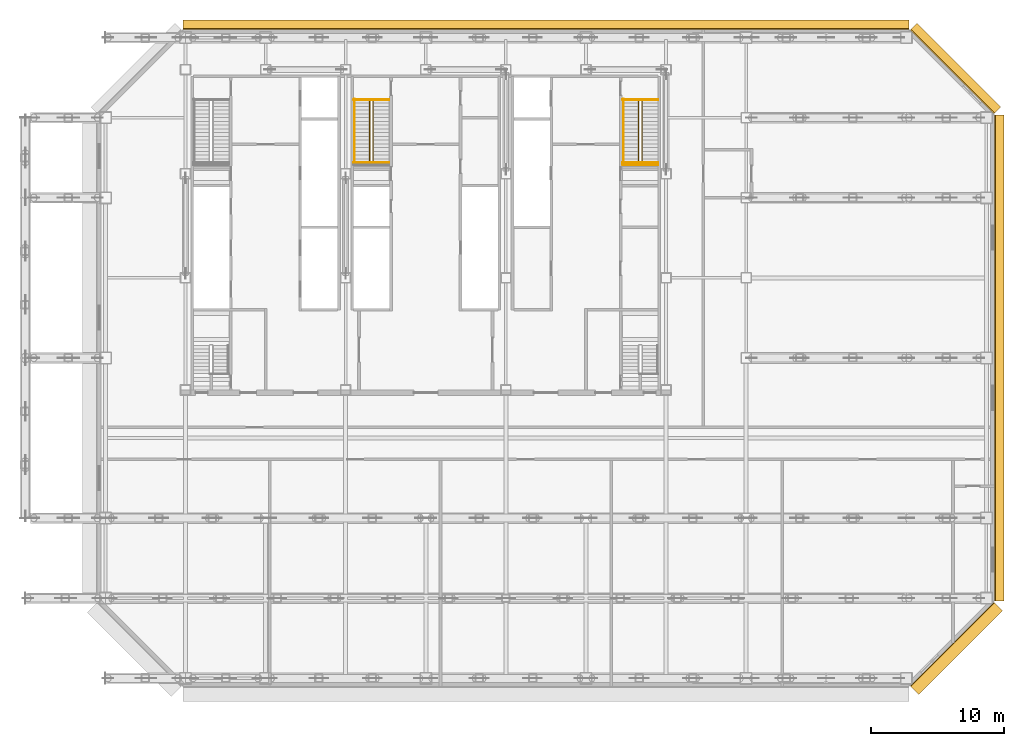
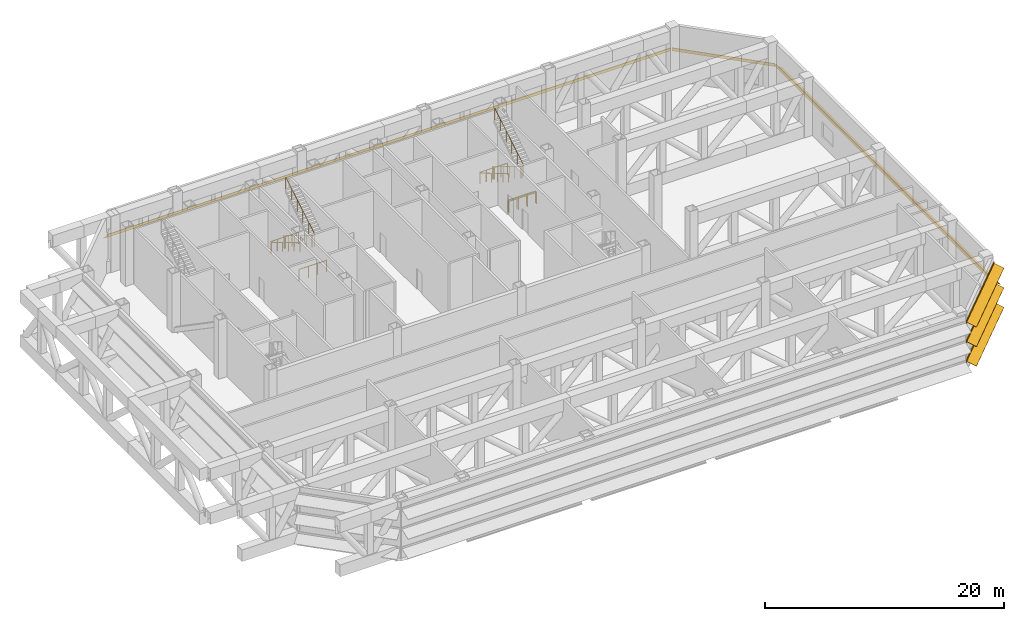
# One storey, part 17 of 17: 11 railings, 4 shading devices.
"""IFC4 building model written with IfcOpenShell, lengths in metres."""

from ifc_helpers import new_model, si_unit, direction, frame, origin, origin_2d, place, context, subcontext, project, spatial, polyline, circle, outline, composite_profile, extrude, material, type_object, element, save


model = new_model("IFC4")

# Units and contexts
model_context = context("Model", 3, precision=1e-05, world=origin(), true_north=direction((0.0, 1.0)))
body_context = subcontext(model_context, "Body", "Model", "MODEL_VIEW")
ifc_project = project(units=[si_unit("LENGTHUNIT", "METRE"), si_unit("AREAUNIT", "SQUARE_METRE"), si_unit("VOLUMEUNIT", "CUBIC_METRE"), si_unit("PLANEANGLEUNIT", "RADIAN"), si_unit("MASSUNIT", "GRAM", prefix="KILO")], contexts=[model_context])

# Site, building, storey
site_placement = place(None, origin())
site = spatial("IfcSite", under=ifc_project, at=site_placement, CompositionType="ELEMENT")
building_placement = place(site_placement, origin())
building = spatial("IfcBuilding", under=site, at=building_placement, Name="Sorahane Residences", CompositionType="ELEMENT")
storey_placement = place(building_placement, frame((0.0, 0.0, 90.199951171875)))
storey = spatial("IfcBuildingStorey", under=building, at=storey_placement, Name="L19", CompositionType="ELEMENT", Elevation=90.199951171875)

# Shading devices
ifc_material_1 = material(Name="Terracotta anodised aluminium", Category="masonry")
shading_device_type_1 = type_object("IfcShadingDeviceType", Name="Louvre sunshade blade E terracotta aluminium 700", PredefinedType="JALOUSIE", material=ifc_material_1)
shading_device_1_placement = place(storey_placement, frame((66.60009765625, 5.801513671875, 3.0), z_axis=(0.0, 1.0, 0.0), x_axis=(-1.0, 0.0, 0.0)))
element("IfcShadingDevice", 1, at=shading_device_1_placement, inside=storey, type_object=shading_device_type_1, Name="Louvre sunshade blade bank E L19 E1", PredefinedType="JALOUSIE", context=body_context, shape_type="SweptSolid", body=[
    extrude(outline(polyline([(-0.719970703125, -0.49365234375), (-0.719970703125, -0.523681640625), (-0.080078125, -0.05859375), (-0.080078125, -0.14990234375), (-0.02001953125, -0.14990234375), (-0.02001953125, -0.014892578125), (-0.02001953125, 0.014892578125), (-0.02001953125, 0.14990234375), (-0.080078125, 0.14990234375), (-0.080078125, -0.028564453125), (-0.719970703125, -0.49365234375)])), origin(), (0.0, 0.0, 1.0), 36.39697265625),
])
ifc_material_2 = material(Name="Terracotta anodised aluminium", Category="masonry")
shading_device_type_2 = type_object("IfcShadingDeviceType", Name="Louvre sunshade blade N terracotta aluminium 700", PredefinedType="JALOUSIE", material=ifc_material_2)
shading_device_2_placement = place(storey_placement, frame((60.198486328125, 48.60009765625, 3.0), z_axis=(-1.0, 0.0, 0.0), x_axis=(0.0, -1.0, 0.0)))
element("IfcShadingDevice", 2, at=shading_device_2_placement, inside=storey, type_object=shading_device_type_2, Name="Louvre sunshade blade bank N L19 N1", PredefinedType="JALOUSIE", context=body_context, shape_type="SweptSolid", body=[
    extrude(outline(polyline([(-0.719970703125, -0.660888671875), (-0.719970703125, -0.69091796875), (-0.080078125, -0.072998046875), (-0.080078125, -0.14990234375), (-0.02001953125, -0.14990234375), (-0.02001953125, -0.014892578125), (-0.02001953125, 0.014892578125), (-0.02001953125, 0.14990234375), (-0.080078125, 0.14990234375), (-0.080078125, -0.04296875), (-0.719970703125, -0.660888671875)])), origin(), (0.0, 0.0, 1.0), 54.39697265625),
])
ifc_material_3 = material(Name="Terracotta anodised aluminium", Category="masonry")
shading_device_type_3 = type_object("IfcShadingDeviceType", Name="Louvre sunshade blade NE terracotta aluminium 700", PredefinedType="JALOUSIE", material=ifc_material_3)
shading_device_3_placement = place(storey_placement, frame((66.564697265625, 42.283935546875, 3.0), z_axis=(-0.707106781187, 0.707106781187, 0.0), x_axis=(-0.707106781187, -0.707106781187, 0.0)))
element("IfcShadingDevice", 3, at=shading_device_3_placement, inside=storey, type_object=shading_device_type_3, Name="Louvre sunshade blade bank NE L19 NE1", PredefinedType="JALOUSIE", context=body_context, shape_type="SweptSolid", body=[
    extrude(outline(polyline([(-0.719970703125, -0.572509765625), (-0.719970703125, -0.602294921875), (-0.080078125, -0.065185546875), (-0.080078125, -0.14990234375), (-0.02001953125, -0.14990234375), (-0.02001953125, -0.014892578125), (-0.02001953125, 0.014892578125), (-0.02001953125, 0.14990234375), (-0.080078125, 0.14990234375), (-0.080078125, -0.035400390625), (-0.719970703125, -0.572509765625)])), origin(), (0.0, 0.0, 1.0), 8.88232421875),
])
ifc_material_4 = material(Name="Terracotta anodised aluminium", Category="masonry")
shading_device_type_4 = type_object("IfcShadingDeviceType", Name="Louvre sunshade blade SE terracotta aluminium 900", PredefinedType="JALOUSIE", material=ifc_material_4)
shading_device_4_placement = place(storey_placement, frame((60.283935546875, -0.564697265625, 1.0), z_axis=(0.707106781187, 0.707106781187, 0.0), x_axis=(-0.707106781187, 0.707106781187, 0.0)))
element("IfcShadingDevice", 4, at=shading_device_4_placement, inside=storey, type_object=shading_device_type_4, Name="Louvre sunshade blade bank SE L19 SE1", PredefinedType="JALOUSIE", context=body_context, shape_type="SweptSolid", body=[
    extrude(composite_profile([outline(polyline([(-0.919921875, -0.3486328125), (-0.919921875, -0.378662109375), (-0.080078125, -0.039306640625), (-0.080078125, -0.14990234375), (-0.02001953125, -0.14990234375), (-0.02001953125, -0.014892578125), (-0.02001953125, 0.014892578125), (-0.02001953125, 0.14990234375), (-0.080078125, 0.14990234375), (-0.080078125, -0.00927734375), (-0.919921875, -0.3486328125)])), outline(polyline([(-0.919921875, 1.6513671875), (-0.919921875, 1.621337890625), (-0.080078125, 1.960693359375), (-0.080078125, 1.85009765625), (-0.02001953125, 1.85009765625), (-0.02001953125, 1.985107421875), (-0.02001953125, 2.014892578125), (-0.02001953125, 2.14990234375), (-0.080078125, 2.14990234375), (-0.080078125, 1.99072265625), (-0.919921875, 1.6513671875)])), outline(polyline([(-0.919921875, 3.6513671875), (-0.919921875, 3.621337890625), (-0.080078125, 3.960693359375), (-0.080078125, 3.85009765625), (-0.02001953125, 3.85009765625), (-0.02001953125, 3.985107421875), (-0.02001953125, 4.014892578125), (-0.02001953125, 4.14990234375), (-0.080078125, 4.14990234375), (-0.080078125, 3.99072265625), (-0.919921875, 3.6513671875)]))]), origin(), (0.0, 0.0, 1.0), 8.88232421875),
])

# Railings
ifc_material_5 = material(Name="Steel Q355B", Category="steel")
railing_type_1 = type_object("IfcRailingType", Name="Stair guard 1200 Steel Q355B", PredefinedType="GUARDRAIL", material=ifc_material_5)
railing_1_placement = place(storey_placement, frame((41.39990234375, 38.47509765625, 0.0)))
element("IfcRailing", 5, at=railing_1_placement, inside=storey, type_object=railing_type_1, Name="L19 S2 top well guard 1", PredefinedType="GUARDRAIL", context=body_context, shape_type="SweptSolid", body=[
    extrude(circle(Radius=0.02392578125, at=origin_2d()), frame((0.0, 0.0, 1.17578125), z_axis=(-1.0, 0.0, 0.0), x_axis=(0.0, -1.0, 0.0)), (0.0, 0.0, 1.0), 2.64990234375),
    extrude(circle(Radius=0.02099609375, at=origin_2d()), origin(), (0.0, 0.0, 1.0), 1.15185546875),
    extrude(circle(Radius=0.02099609375, at=origin_2d()), frame((-0.88330078125, 0.0, 0.0)), (0.0, 0.0, 1.0), 1.15185546875),
    extrude(circle(Radius=0.02099609375, at=origin_2d()), frame((-1.7666015625, 0.0, 0.0)), (0.0, 0.0, 1.0), 1.15185546875),
    extrude(circle(Radius=0.02099609375, at=origin_2d()), frame((-2.64990234375, 0.0, 0.0)), (0.0, 0.0, 1.0), 1.15185546875),
])
railing_2_placement = place(storey_placement, frame((38.75, 38.64990234375, 0.0)))
element("IfcRailing", 6, at=railing_2_placement, inside=storey, type_object=railing_type_1, Name="L19 Stair S2 edge guard", PredefinedType="GUARDRAIL", context=body_context, shape_type="SweptSolid", body=[
    extrude(circle(Radius=0.02392578125, at=origin_2d()), frame((0.0, 0.0, 1.17578125), z_axis=(1.0, 0.0, 0.0), x_axis=(0.0, 1.0, 0.0)), (0.0, 0.0, 1.0), 2.64990234375),
    extrude(circle(Radius=0.02099609375, at=origin_2d()), origin(), (0.0, 0.0, 1.0), 1.15185546875),
    extrude(circle(Radius=0.02099609375, at=origin_2d()), frame((0.88330078125, 0.0, 0.0)), (0.0, 0.0, 1.0), 1.15185546875),
    extrude(circle(Radius=0.02099609375, at=origin_2d()), frame((1.7666015625, 0.0, 0.0)), (0.0, 0.0, 1.0), 1.15185546875),
    extrude(circle(Radius=0.02099609375, at=origin_2d()), frame((2.64990234375, 0.0, 0.0)), (0.0, 0.0, 1.0), 1.15185546875),
])
for number, where, name in (
    (7, (38.75, 43.35009765625, 0.0), "L19 Stair S2 edge guard"),
    (8, (40.133056640625, 43.35009765625, 0.0), "L19 Stair S2 edge guard"),
):
    element("IfcRailing", number, at=place(storey_placement, frame(where)), inside=storey, type_object=railing_type_1, Name=name, PredefinedType="GUARDRAIL", context=body_context, shape_type="SweptSolid", body=[
        extrude(circle(Radius=0.02392578125, at=origin_2d()), frame((0.0, 0.0, 1.17578125), z_axis=(1.0, 0.0, 0.0), x_axis=(0.0, 1.0, 0.0)), (0.0, 0.0, 1.0), 1.266845703125),
        extrude(circle(Radius=0.02099609375, at=origin_2d()), origin(), (0.0, 0.0, 1.0), 1.15185546875),
        extrude(circle(Radius=0.02099609375, at=origin_2d()), frame((0.63330078125, 0.0, 0.0)), (0.0, 0.0, 1.0), 1.15185546875),
        extrude(circle(Radius=0.02099609375, at=origin_2d()), frame((1.266845703125, 0.0, 0.0)), (0.0, 0.0, 1.0), 1.15185546875),
    ])
railing_3_placement = place(storey_placement, frame((40.14990234375, 43.449951171875, 0.0)))
element("IfcRailing", 9, at=railing_3_placement, inside=storey, type_object=railing_type_1, Name="L19 S2 stair guard 1", PredefinedType="GUARDRAIL", context=body_context, shape_type="SweptSolid", body=[
    extrude(circle(Radius=0.02392578125, at=origin_2d()), frame((0.0, 0.0, 1.17578125), z_axis=(-1.0, 0.0, 0.0), x_axis=(0.0, -1.0, 0.0)), (0.0, 0.0, 1.0), 0.14990234375),
    extrude(circle(Radius=0.02392578125, at=origin_2d()), frame((-0.14990234375, 0.0, 1.17578125), z_axis=(-0.27628659633, -0.27628659633, 0.920506074601), x_axis=(0.707106781187, -0.707106781187, 0.0)), (0.0, 0.0, 1.0), 0.18115234375),
    extrude(circle(Radius=0.02392578125, at=origin_2d()), frame((-0.199951171875, -0.050048828125, 1.3427734375), z_axis=(0.0, -0.859299802514, 0.511472237174), x_axis=(1.0, 0.0, 0.0)), (0.0, 0.0, 1.0), 5.539306640625),
    extrude(circle(Radius=0.02392578125, at=origin_2d()), frame((-0.199951171875, -4.81005859375, 4.17578125), z_axis=(0.708833529934, -0.705375805398, 0.0), x_axis=(0.705375805398, 0.708833529934, 0.0)), (0.0, 0.0, 1.0), 0.070556640625),
    extrude(circle(Radius=0.02392578125, at=origin_2d()), frame((-0.14990234375, -4.85986328125, 4.17578125), z_axis=(1.0, 0.0, 0.0), x_axis=(0.0, 1.0, 0.0)), (0.0, 0.0, 1.0), 0.14990234375),
    extrude(circle(Radius=0.02392578125, at=origin_2d()), frame((0.0, -4.85986328125, 4.17578125), z_axis=(0.276389281352, 0.275041040955, 0.920848191041), x_axis=(-0.705375805398, 0.708833529934, 0.0)), (0.0, 0.0, 1.0), 0.18115234375),
    extrude(circle(Radius=0.02392578125, at=origin_2d()), frame((0.050048828125, -4.81005859375, 4.3427734375), z_axis=(0.0, 0.859299802514, 0.511472237174), x_axis=(-1.0, 0.0, 0.0)), (0.0, 0.0, 1.0), 5.539306640625),
    extrude(circle(Radius=0.02099609375, at=origin_2d()), origin(), (0.0, 0.0, 1.0), 1.15185546875),
    extrude(circle(Radius=0.02099609375, at=origin_2d()), frame((-0.14990234375, 0.0, 0.0)), (0.0, 0.0, 1.0), 1.15185546875),
    extrude(circle(Radius=0.02099609375, at=origin_2d()), frame((-0.199951171875, -0.050048828125, 0.166748046875)), (0.0, 0.0, 1.0), 1.15185546875),
    extrude(circle(Radius=0.02099609375, at=origin_2d()), frame((-0.199951171875, -1.001953125, 0.7333984375)), (0.0, 0.0, 1.0), 1.15185546875),
    extrude(circle(Radius=0.02099609375, at=origin_2d()), frame((-0.199951171875, -1.9541015625, 1.300048828125)), (0.0, 0.0, 1.0), 1.15185546875),
    extrude(circle(Radius=0.02099609375, at=origin_2d()), frame((-0.199951171875, -2.906005859375, 1.86669921875)), (0.0, 0.0, 1.0), 1.15185546875),
    extrude(circle(Radius=0.02099609375, at=origin_2d()), frame((-0.199951171875, -3.858154296875, 2.433349609375)), (0.0, 0.0, 1.0), 1.15185546875),
    extrude(circle(Radius=0.02099609375, at=origin_2d()), frame((-0.199951171875, -4.81005859375, 3.0)), (0.0, 0.0, 1.0), 1.15185546875),
    extrude(circle(Radius=0.02099609375, at=origin_2d()), frame((-0.14990234375, -4.85986328125, 3.0)), (0.0, 0.0, 1.0), 1.15185546875),
    extrude(circle(Radius=0.02099609375, at=origin_2d()), frame((0.0, -4.85986328125, 3.0)), (0.0, 0.0, 1.0), 1.15185546875),
    extrude(circle(Radius=0.02099609375, at=origin_2d()), frame((0.050048828125, -4.81005859375, 3.166748046875)), (0.0, 0.0, 1.0), 1.15185546875),
    extrude(circle(Radius=0.02099609375, at=origin_2d()), frame((0.050048828125, -3.858154296875, 3.7333984375)), (0.0, 0.0, 1.0), 1.15185546875),
    extrude(circle(Radius=0.02099609375, at=origin_2d()), frame((0.050048828125, -2.906005859375, 4.300048828125)), (0.0, 0.0, 1.0), 1.15185546875),
    extrude(circle(Radius=0.02099609375, at=origin_2d()), frame((0.050048828125, -1.9541015625, 4.86669921875)), (0.0, 0.0, 1.0), 1.15185546875),
    extrude(circle(Radius=0.02099609375, at=origin_2d()), frame((0.050048828125, -1.001953125, 5.433349609375)), (0.0, 0.0, 1.0), 1.15185546875),
    extrude(circle(Radius=0.02099609375, at=origin_2d()), frame((0.050048828125, -0.050048828125, 6.0)), (0.0, 0.0, 1.0), 1.15185546875),
])
railing_4_placement = place(storey_placement, frame((18.60009765625, 38.64990234375, 0.0)))
element("IfcRailing", 10, at=railing_4_placement, inside=storey, type_object=railing_type_1, Name="L19 Stair S3 edge guard", PredefinedType="GUARDRAIL", context=body_context, shape_type="SweptSolid", body=[
    extrude(circle(Radius=0.02392578125, at=origin_2d()), frame((0.0, 0.0, 1.17578125), z_axis=(1.0, 0.0, 0.0), x_axis=(0.0, 1.0, 0.0)), (0.0, 0.0, 1.0), 2.64990234375),
    extrude(circle(Radius=0.02099609375, at=origin_2d()), origin(), (0.0, 0.0, 1.0), 1.15185546875),
    extrude(circle(Radius=0.02099609375, at=origin_2d()), frame((0.88330078125, 0.0, 0.0)), (0.0, 0.0, 1.0), 1.15185546875),
    extrude(circle(Radius=0.02099609375, at=origin_2d()), frame((1.7666015625, 0.0, 0.0)), (0.0, 0.0, 1.0), 1.15185546875),
    extrude(circle(Radius=0.02099609375, at=origin_2d()), frame((2.64990234375, 0.0, 0.0)), (0.0, 0.0, 1.0), 1.15185546875),
])
for number, where, name in (
    (11, (18.60009765625, 43.35009765625, 0.0), "L19 Stair S3 edge guard"),
    (12, (19.983154296875, 43.35009765625, 0.0), "L19 Stair S3 edge guard"),
):
    element("IfcRailing", number, at=place(storey_placement, frame(where)), inside=storey, type_object=railing_type_1, Name=name, PredefinedType="GUARDRAIL", context=body_context, shape_type="SweptSolid", body=[
        extrude(circle(Radius=0.02392578125, at=origin_2d()), frame((0.0, 0.0, 1.17578125), z_axis=(1.0, 0.0, 0.0), x_axis=(0.0, 1.0, 0.0)), (0.0, 0.0, 1.0), 1.266845703125),
        extrude(circle(Radius=0.02099609375, at=origin_2d()), origin(), (0.0, 0.0, 1.0), 1.15185546875),
        extrude(circle(Radius=0.02099609375, at=origin_2d()), frame((0.63330078125, 0.0, 0.0)), (0.0, 0.0, 1.0), 1.15185546875),
        extrude(circle(Radius=0.02099609375, at=origin_2d()), frame((1.266845703125, 0.0, 0.0)), (0.0, 0.0, 1.0), 1.15185546875),
    ])
railing_5_placement = place(storey_placement, frame((20.0, 43.449951171875, 0.0)))
element("IfcRailing", 13, at=railing_5_placement, inside=storey, type_object=railing_type_1, Name="L19 S3 stair guard 1", PredefinedType="GUARDRAIL", context=body_context, shape_type="SweptSolid", body=[
    extrude(circle(Radius=0.02392578125, at=origin_2d()), frame((0.0, 0.0, 1.17578125), z_axis=(-1.0, 0.0, 0.0), x_axis=(0.0, -1.0, 0.0)), (0.0, 0.0, 1.0), 0.14990234375),
    extrude(circle(Radius=0.02392578125, at=origin_2d()), frame((-0.14990234375, 0.0, 1.17578125), z_axis=(-0.27628659633, -0.27628659633, 0.920506074601), x_axis=(0.707106781187, -0.707106781187, 0.0)), (0.0, 0.0, 1.0), 0.18115234375),
    extrude(circle(Radius=0.02392578125, at=origin_2d()), frame((-0.199951171875, -0.050048828125, 1.3427734375), z_axis=(0.0, -0.859299802514, 0.511472237174), x_axis=(1.0, 0.0, 0.0)), (0.0, 0.0, 1.0), 5.539306640625),
    extrude(circle(Radius=0.02392578125, at=origin_2d()), frame((-0.199951171875, -4.81005859375, 4.17578125), z_axis=(0.708833529934, -0.705375805398, 0.0), x_axis=(0.705375805398, 0.708833529934, 0.0)), (0.0, 0.0, 1.0), 0.070556640625),
    extrude(circle(Radius=0.02392578125, at=origin_2d()), frame((-0.14990234375, -4.85986328125, 4.17578125), z_axis=(1.0, 0.0, 0.0), x_axis=(0.0, 1.0, 0.0)), (0.0, 0.0, 1.0), 0.14990234375),
    extrude(circle(Radius=0.02392578125, at=origin_2d()), frame((0.0, -4.85986328125, 4.17578125), z_axis=(0.276389281352, 0.275041040955, 0.920848191041), x_axis=(-0.705375805398, 0.708833529934, 0.0)), (0.0, 0.0, 1.0), 0.18115234375),
    extrude(circle(Radius=0.02392578125, at=origin_2d()), frame((0.050048828125, -4.81005859375, 4.3427734375), z_axis=(0.0, 0.859299802514, 0.511472237174), x_axis=(-1.0, 0.0, 0.0)), (0.0, 0.0, 1.0), 5.539306640625),
    extrude(circle(Radius=0.02099609375, at=origin_2d()), origin(), (0.0, 0.0, 1.0), 1.15185546875),
    extrude(circle(Radius=0.02099609375, at=origin_2d()), frame((-0.14990234375, 0.0, 0.0)), (0.0, 0.0, 1.0), 1.15185546875),
    extrude(circle(Radius=0.02099609375, at=origin_2d()), frame((-0.199951171875, -0.050048828125, 0.166748046875)), (0.0, 0.0, 1.0), 1.15185546875),
    extrude(circle(Radius=0.02099609375, at=origin_2d()), frame((-0.199951171875, -1.001953125, 0.7333984375)), (0.0, 0.0, 1.0), 1.15185546875),
    extrude(circle(Radius=0.02099609375, at=origin_2d()), frame((-0.199951171875, -1.9541015625, 1.300048828125)), (0.0, 0.0, 1.0), 1.15185546875),
    extrude(circle(Radius=0.02099609375, at=origin_2d()), frame((-0.199951171875, -2.906005859375, 1.86669921875)), (0.0, 0.0, 1.0), 1.15185546875),
    extrude(circle(Radius=0.02099609375, at=origin_2d()), frame((-0.199951171875, -3.858154296875, 2.433349609375)), (0.0, 0.0, 1.0), 1.15185546875),
    extrude(circle(Radius=0.02099609375, at=origin_2d()), frame((-0.199951171875, -4.81005859375, 3.0)), (0.0, 0.0, 1.0), 1.15185546875),
    extrude(circle(Radius=0.02099609375, at=origin_2d()), frame((-0.14990234375, -4.85986328125, 3.0)), (0.0, 0.0, 1.0), 1.15185546875),
    extrude(circle(Radius=0.02099609375, at=origin_2d()), frame((0.0, -4.85986328125, 3.0)), (0.0, 0.0, 1.0), 1.15185546875),
    extrude(circle(Radius=0.02099609375, at=origin_2d()), frame((0.050048828125, -4.81005859375, 3.166748046875)), (0.0, 0.0, 1.0), 1.15185546875),
    extrude(circle(Radius=0.02099609375, at=origin_2d()), frame((0.050048828125, -3.858154296875, 3.7333984375)), (0.0, 0.0, 1.0), 1.15185546875),
    extrude(circle(Radius=0.02099609375, at=origin_2d()), frame((0.050048828125, -2.906005859375, 4.300048828125)), (0.0, 0.0, 1.0), 1.15185546875),
    extrude(circle(Radius=0.02099609375, at=origin_2d()), frame((0.050048828125, -1.9541015625, 4.86669921875)), (0.0, 0.0, 1.0), 1.15185546875),
    extrude(circle(Radius=0.02099609375, at=origin_2d()), frame((0.050048828125, -1.001953125, 5.433349609375)), (0.0, 0.0, 1.0), 1.15185546875),
    extrude(circle(Radius=0.02099609375, at=origin_2d()), frame((0.050048828125, -0.050048828125, 6.0)), (0.0, 0.0, 1.0), 1.15185546875),
])
ifc_material_6 = material(Name="Steel Q355B", Category="steel")
railing_type_2 = type_object("IfcRailingType", Name="Stair handrail 900 Steel Q355B", PredefinedType="HANDRAIL", material=ifc_material_6)
for number, where, name in (
    (14, (38.800048828125, 43.39990234375, 0.166748046875), "L19 S2 stair handrail 1"),
    (15, (18.64990234375, 43.39990234375, 0.166748046875), "L19 S3 stair handrail 1"),
):
    element("IfcRailing", number, at=place(storey_placement, frame(where)), inside=storey, type_object=railing_type_2, Name=name, PredefinedType="HANDRAIL", context=body_context, shape_type="SweptSolid", body=[
        extrude(circle(Radius=0.02392578125, at=origin_2d()), frame((0.0, 0.0, 0.8759765625), z_axis=(0.0, -0.859299802514, 0.511472237174), x_axis=(1.0, 0.0, 0.0)), (0.0, 0.0, 1.0), 5.539306640625),
        extrude(circle(Radius=0.02099609375, at=origin_2d()), origin(), (0.0, 0.0, 1.0), 0.851806640625),
        extrude(circle(Radius=0.02099609375, at=origin_2d()), frame((0.0, -0.951904296875, 0.566650390625)), (0.0, 0.0, 1.0), 0.851806640625),
        extrude(circle(Radius=0.02099609375, at=origin_2d()), frame((0.0, -1.904052734375, 1.13330078125)), (0.0, 0.0, 1.0), 0.851806640625),
        extrude(circle(Radius=0.02099609375, at=origin_2d()), frame((0.0, -2.85595703125, 1.699951171875)), (0.0, 0.0, 1.0), 0.851806640625),
        extrude(circle(Radius=0.02099609375, at=origin_2d()), frame((0.0, -3.80810546875, 2.2666015625)), (0.0, 0.0, 1.0), 0.851806640625),
        extrude(circle(Radius=0.02099609375, at=origin_2d()), frame((0.0, -4.760009765625, 2.833251953125)), (0.0, 0.0, 1.0), 0.851806640625),
    ])

save(model, "model.ifc")
